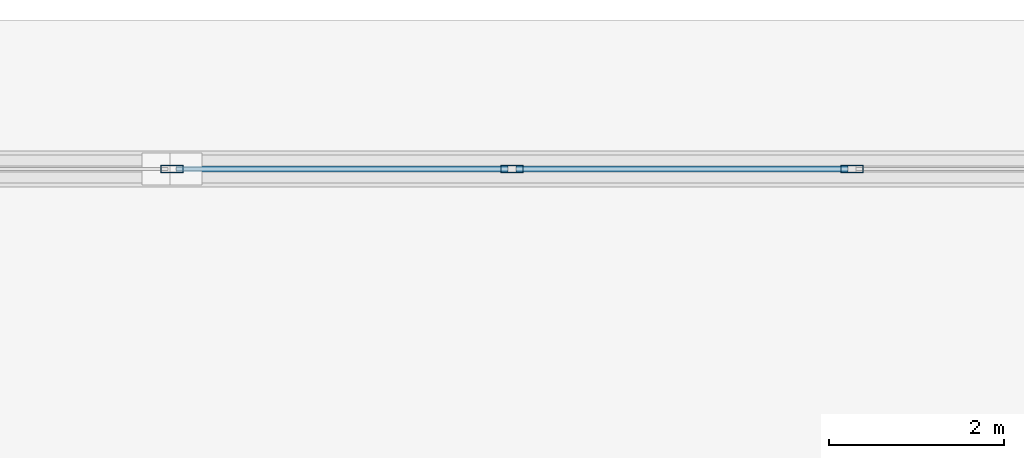
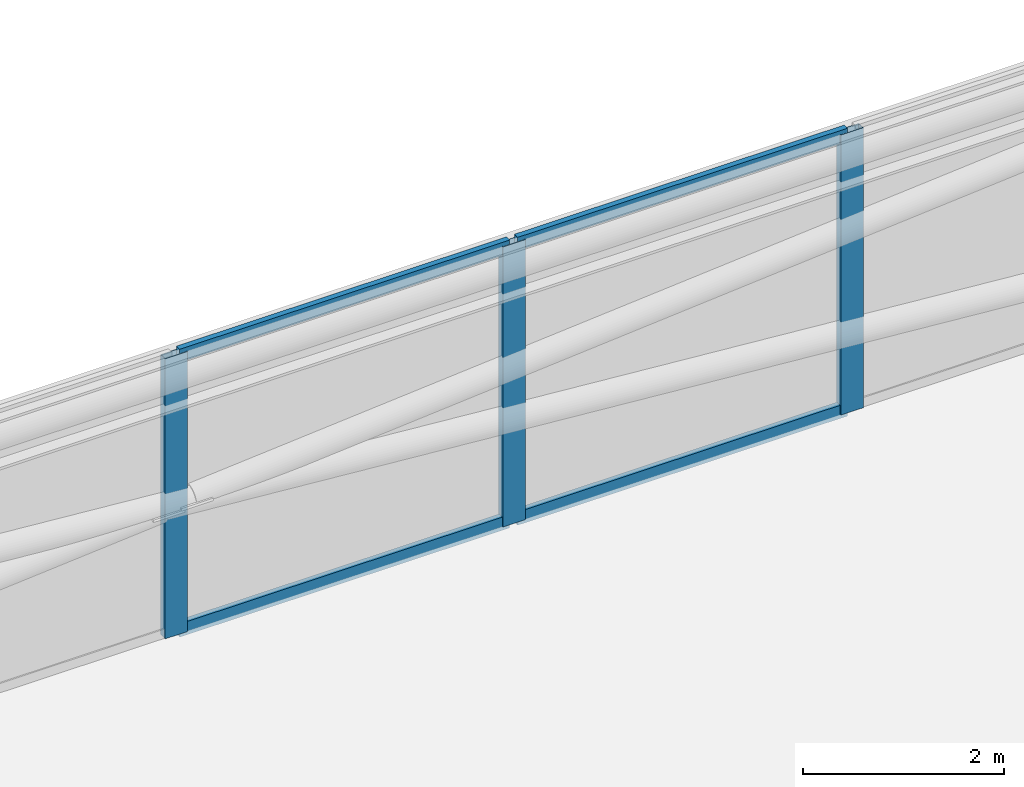
# One storey, part 13 of 23: 7 members, 1 element without a shape of its own.
"""IFC4 building model written with IfcOpenShell, lengths in metres."""

from ifc_helpers import new_model, si_unit, direction, frame, origin, origin_2d, place, context, subcontext, project, spatial, hollow_rectangle, extrude, material, layer, layer_set, material_profile, profile_set, type_object, element, aggregate, save


model = new_model("IFC4")

# Units and contexts
model_context = context("Model", 3, precision=1e-05, world=origin(), true_north=direction((0.0, 1.0)))
body_context = subcontext(model_context, "Body", "Model", "MODEL_VIEW")
ifc_project = project(units=[si_unit("LENGTHUNIT", "METRE"), si_unit("AREAUNIT", "SQUARE_METRE"), si_unit("VOLUMEUNIT", "CUBIC_METRE"), si_unit("PLANEANGLEUNIT", "RADIAN"), si_unit("MASSUNIT", "GRAM", prefix="KILO")], contexts=[model_context])

# Site, building, storey
site_placement = place(None, origin())
site = spatial("IfcSite", under=ifc_project, at=site_placement, CompositionType="ELEMENT")
building_placement = place(site_placement, origin())
building = spatial("IfcBuilding", under=site, at=building_placement, Name="Qobustan Lattice House", CompositionType="ELEMENT")
storey_placement = place(building_placement, frame((0.0, 0.0, 270.199951171875)))
storey = spatial("IfcBuildingStorey", under=building, at=storey_placement, Name="L76", CompositionType="ELEMENT", Elevation=270.199951171875)

# Curtain wall, members
ifc_material_1 = material(Name="Anodised aluminium and low-E glazing", Category="aluminium")
ifc_layer = layer(ifc_material_1, 0.219970703125)
ifc_layer_set = layer_set([ifc_layer], Name="Anodised aluminium and low-E glazing")
curtain_wall_type = type_object("IfcCurtainWallType", Name="CW-CRN-01", PredefinedType="USERDEFINED", material=ifc_layer_set)
curtain_wall_placement = place(storey_placement, origin())
curtain_wall = element("IfcCurtainWall", 1, at=curtain_wall_placement, inside=storey, type_object=curtain_wall_type, Name="L76 glass-point crown faceted curtain wall 10", ObjectType="CURTAIN WALL", PredefinedType="USERDEFINED")
ifc_material_2 = material(Name="Anodised aluminium EN AW-6063 T6", Category="aluminium")
ifc_material_profile_1 = material_profile(ifc_material_2, hollow_rectangle(XDim=0.090087890625, YDim=0.260009765625, WallThickness=0.006103515625, at=origin_2d()), Name="CWM-CROWN-260x90")
ifc_profile_set_1 = profile_set([ifc_material_profile_1], Name="Anodised aluminium EN AW-6063 T6")
member_type_1 = type_object("IfcMemberType", Name="CWM-CRN-260", PredefinedType="MULLION", material=ifc_profile_set_1)
member_1_placement = place(storey_placement, frame((-0.199951171875, 13.699951171875, 0.0), z_axis=(0.0, 0.0, 1.0), x_axis=(0.0, 1.0, 0.0)))
member_1 = element("IfcMember", 2, at=member_1_placement, type_object=member_type_1, Name="CW-CR mullion 6", PredefinedType="MULLION", context=body_context, shape_type="SweptSolid", body=[
    extrude(hollow_rectangle(XDim=0.090087890625, YDim=0.260009765625, WallThickness=0.006103515625, at=origin_2d()), origin(), (0.0, 0.0, 1.0), 3.400146484375),
])
member_2_placement = place(storey_placement, frame((3.679931640625, 13.699951171875, 0.0), z_axis=(0.0, 0.0, 1.0), x_axis=(0.0, 1.0, 0.0)))
member_2 = element("IfcMember", 3, at=member_2_placement, type_object=member_type_1, Name="CW-CR mullion 7", PredefinedType="MULLION", context=body_context, shape_type="SweptSolid", body=[
    extrude(hollow_rectangle(XDim=0.090087890625, YDim=0.260009765625, WallThickness=0.006103515625, at=origin_2d()), origin(), (0.0, 0.0, 1.0), 3.400146484375),
])
member_3_placement = place(storey_placement, frame((7.56005859375, 13.699951171875, 0.0), z_axis=(0.0, 0.0, 1.0), x_axis=(0.0, 1.0, 0.0)))
member_3 = element("IfcMember", 4, at=member_3_placement, type_object=member_type_1, Name="CW-CR mullion 8", PredefinedType="MULLION", context=body_context, shape_type="SweptSolid", body=[
    extrude(hollow_rectangle(XDim=0.090087890625, YDim=0.260009765625, WallThickness=0.006103515625, at=origin_2d()), origin(), (0.0, 0.0, 1.0), 3.400146484375),
])
ifc_material_3 = material(Name="Anodised aluminium EN AW-6063 T6", Category="aluminium")
ifc_material_profile_2 = material_profile(ifc_material_3, hollow_rectangle(XDim=0.06494140625, YDim=0.159912109375, WallThickness=0.00390625, at=origin_2d()), Name="CWT-160x65")
ifc_profile_set_2 = profile_set([ifc_material_profile_2], Name="Anodised aluminium EN AW-6063 T6")
member_type_2 = type_object("IfcMemberType", Name="CWT-HOR-160", PredefinedType="USERDEFINED", material=ifc_profile_set_2)
member_4_placement = place(storey_placement, frame((-0.155029296875, 13.699951171875, 0.032470703125), z_axis=(1.0, 0.0, 0.0), x_axis=(0.0, 1.0, 0.0)))
member_4 = element("IfcMember", 5, at=member_4_placement, type_object=member_type_2, Name="CW-CR transom 6.1", ObjectType="TRANSOM", PredefinedType="USERDEFINED", context=body_context, shape_type="SweptSolid", body=[
    extrude(hollow_rectangle(XDim=0.06494140625, YDim=0.159912109375, WallThickness=0.00390625, at=origin_2d()), origin(), (0.0, 0.0, 1.0), 3.7900390625),
])
member_5_placement = place(storey_placement, frame((-0.155029296875, 13.699951171875, 3.367431640625), z_axis=(1.0, 0.0, 0.0), x_axis=(0.0, 1.0, 0.0)))
member_5 = element("IfcMember", 6, at=member_5_placement, type_object=member_type_2, Name="CW-CR transom 6.2", ObjectType="TRANSOM", PredefinedType="USERDEFINED", context=body_context, shape_type="SweptSolid", body=[
    extrude(hollow_rectangle(XDim=0.06494140625, YDim=0.159912109375, WallThickness=0.00390625, at=origin_2d()), origin(), (0.0, 0.0, 1.0), 3.7900390625),
])
member_6_placement = place(storey_placement, frame((3.72509765625, 13.699951171875, 0.032470703125), z_axis=(1.0, 0.0, 0.0), x_axis=(0.0, 1.0, 0.0)))
member_6 = element("IfcMember", 7, at=member_6_placement, type_object=member_type_2, Name="CW-CR transom 7.1", ObjectType="TRANSOM", PredefinedType="USERDEFINED", context=body_context, shape_type="SweptSolid", body=[
    extrude(hollow_rectangle(XDim=0.06494140625, YDim=0.159912109375, WallThickness=0.00390625, at=origin_2d()), origin(), (0.0, 0.0, 1.0), 3.789794921875),
])
member_7_placement = place(storey_placement, frame((3.72509765625, 13.699951171875, 3.367431640625), z_axis=(1.0, 0.0, 0.0), x_axis=(0.0, 1.0, 0.0)))
member_7 = element("IfcMember", 8, at=member_7_placement, type_object=member_type_2, Name="CW-CR transom 7.2", ObjectType="TRANSOM", PredefinedType="USERDEFINED", context=body_context, shape_type="SweptSolid", body=[
    extrude(hollow_rectangle(XDim=0.06494140625, YDim=0.159912109375, WallThickness=0.00390625, at=origin_2d()), origin(), (0.0, 0.0, 1.0), 3.789794921875),
])
aggregate(curtain_wall, [member_1, member_2, member_3, member_4, member_5, member_6, member_7])

save(model, "model.ifc")
